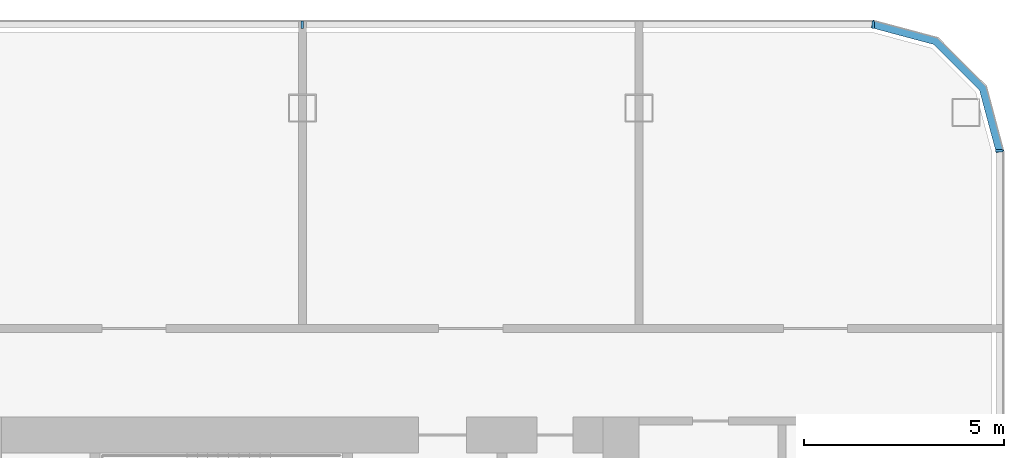
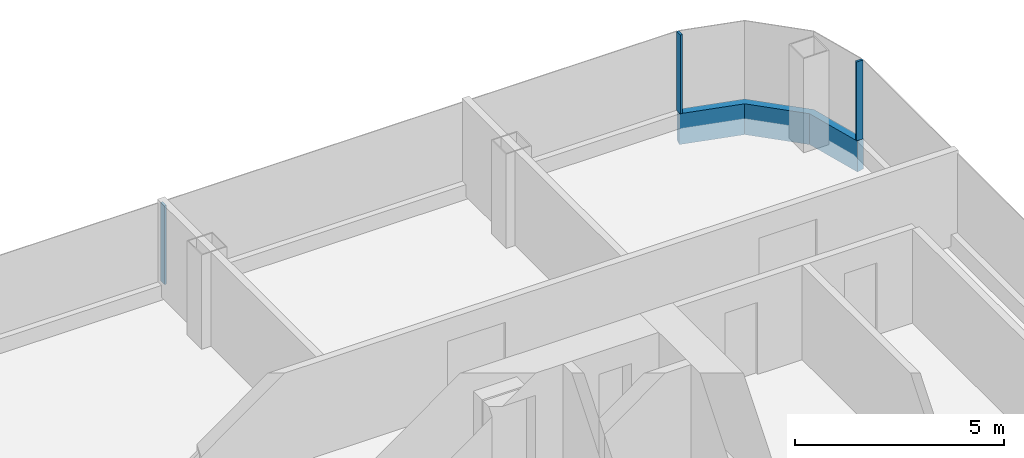
# One storey, part 10 of 26: 4 members, 3 elements without a shape of their own.
"""IFC4 building model written with IfcOpenShell, lengths in metres."""

from ifc_helpers import new_model, si_unit, direction, frame, origin, origin_2d, place, context, subcontext, project, spatial, polyline, rectangle, outline, extrude, material, layer, layer_set, material_profile, profile_set, type_object, element, aggregate, save


model = new_model("IFC4")

# Units and contexts
model_context = context("Model", 3, precision=1e-05, world=origin(), true_north=direction((0.0, 1.0)))
body_context = subcontext(model_context, "Body", "Model", "MODEL_VIEW")
ifc_project = project(units=[si_unit("LENGTHUNIT", "METRE"), si_unit("AREAUNIT", "SQUARE_METRE"), si_unit("VOLUMEUNIT", "CUBIC_METRE"), si_unit("PLANEANGLEUNIT", "RADIAN"), si_unit("MASSUNIT", "GRAM", prefix="KILO")], contexts=[model_context])

# Site, building, storey
site_placement = place(None, origin())
site = spatial("IfcSite", under=ifc_project, at=site_placement, CompositionType="ELEMENT")
building_placement = place(site_placement, origin())
building = spatial("IfcBuilding", under=site, at=building_placement, Name="Hakoniwa Tower and Hamabe Station Hall", CompositionType="ELEMENT")
storey_placement = place(building_placement, frame((0.0, 0.0, 134.199951171875)))
storey = spatial("IfcBuildingStorey", under=building, at=storey_placement, Name="L37", CompositionType="ELEMENT", Elevation=134.199951171875)

# Curtain wall, member
ifc_material_1 = material(Name="Dark low-e laminated glass", Category="glass")
ifc_layer = layer(ifc_material_1, 0.199951171875)
ifc_layer_set = layer_set([ifc_layer], Name="CW-1 UNITISED GUEST")
curtain_wall_type = type_object("IfcCurtainWallType", Name="CW-1 UNITISED GUEST", PredefinedType="NOTDEFINED", material=ifc_layer_set)
curtain_wall_1_placement = place(storey_placement, origin())
curtain_wall_1 = element("IfcCurtainWall", 1, at=curtain_wall_1_placement, inside=storey, type_object=curtain_wall_type, Name="CW-1 curtain wall", PredefinedType="NOTDEFINED")
ifc_material_2 = material(Name="Aluminium 6063-T5 black anodised", Category="aluminium")
ifc_material_profile_1 = material_profile(ifc_material_2, rectangle(XDim=0.199951171875, YDim=0.89990234375, at=origin_2d()), Name="CW SLAB-EDGE BAND 900X200")
ifc_profile_set_1 = profile_set([ifc_material_profile_1], Name="Aluminium 6063-T5 black anodised")
member_type_1 = type_object("IfcMemberType", Name="CW SLAB-EDGE BAND 900X200", PredefinedType="USERDEFINED", material=ifc_profile_set_1)
member_1_placement = place(storey_placement, frame((0.0, 0.0, -0.550048828125)))
member_1 = element("IfcMember", 2, at=member_1_placement, type_object=member_type_1, Name="CW-1 transom", ObjectType="TRANSOM", PredefinedType="USERDEFINED", context=body_context, shape_type="SweptSolid", body=[
    extrude(outline(polyline([(42.699951171875, 15.03955078125), (42.26708984375, 16.6552734375), (41.05517578125, 17.866943359375), (39.439453125, 18.300048828125), (39.3876953125, 18.10693359375), (40.95166015625, 17.687744140625), (42.087646484375, 16.5517578125), (42.5068359375, 14.98779296875), (42.699951171875, 15.03955078125)])), origin(), (0.0, 0.0, 1.0), 0.900146484375),
])
aggregate(curtain_wall_1, [member_1])

curtain_wall_2_placement = place(storey_placement, origin())
curtain_wall_2 = element("IfcCurtainWall", 3, at=curtain_wall_2_placement, inside=storey, type_object=curtain_wall_type, Name="CW-1 curtain wall", PredefinedType="NOTDEFINED")
ifc_material_3 = material(Name="Aluminium 6063-T5 black anodised", Category="aluminium")
ifc_material_profile_2 = material_profile(ifc_material_3, rectangle(XDim=0.06005859375, YDim=0.179931640625, at=origin_2d()), Name="CW-1 MULLION 60X180")
ifc_profile_set_2 = profile_set([ifc_material_profile_2], Name="Aluminium 6063-T5 black anodised")
member_type_2 = type_object("IfcMemberType", Name="CW-1 MULLION 60X180", PredefinedType="MULLION", material=ifc_profile_set_2)
member_2_placement = place(storey_placement, frame((42.58203125, 15.03955078125, 0.35009765625), z_axis=(0.0, 0.0, 1.0), x_axis=(0.0, 1.0, 0.0)))
member_2 = element("IfcMember", 4, at=member_2_placement, type_object=member_type_2, Name="CW-1 mullion", PredefinedType="MULLION", context=body_context, shape_type="SweptSolid", body=[
    extrude(rectangle(XDim=0.06005859375, YDim=0.179931640625, at=origin_2d()), origin(), (0.0, 0.0, 1.0), 2.300048828125),
])
aggregate(curtain_wall_2, [member_2])

# Curtain wall, members
curtain_wall_3_placement = place(storey_placement, origin())
curtain_wall_3 = element("IfcCurtainWall", 5, at=curtain_wall_3_placement, inside=storey, type_object=curtain_wall_type, Name="CW-1 curtain wall", PredefinedType="NOTDEFINED")
member_3_placement = place(storey_placement, frame((39.439453125, 18.181884765625, 0.35009765625), z_axis=(0.0, 0.0, 1.0), x_axis=(-1.0, 0.0, 0.0)))
member_3 = element("IfcMember", 6, at=member_3_placement, type_object=member_type_2, Name="CW-1 mullion", PredefinedType="MULLION", context=body_context, shape_type="SweptSolid", body=[
    extrude(rectangle(XDim=0.06005859375, YDim=0.179931640625, at=origin_2d()), origin(), (0.0, 0.0, 1.0), 2.300048828125),
])
member_4_placement = place(storey_placement, frame((25.199951171875, 18.181884765625, 0.35009765625), z_axis=(0.0, 0.0, 1.0), x_axis=(-1.0, 0.0, 0.0)))
member_4 = element("IfcMember", 7, at=member_4_placement, type_object=member_type_2, Name="CW-1 mullion", PredefinedType="MULLION", context=body_context, shape_type="SweptSolid", body=[
    extrude(rectangle(XDim=0.06005859375, YDim=0.179931640625, at=origin_2d()), origin(), (0.0, 0.0, 1.0), 2.300048828125),
])
aggregate(curtain_wall_3, [member_3, member_4])

save(model, "model.ifc")
